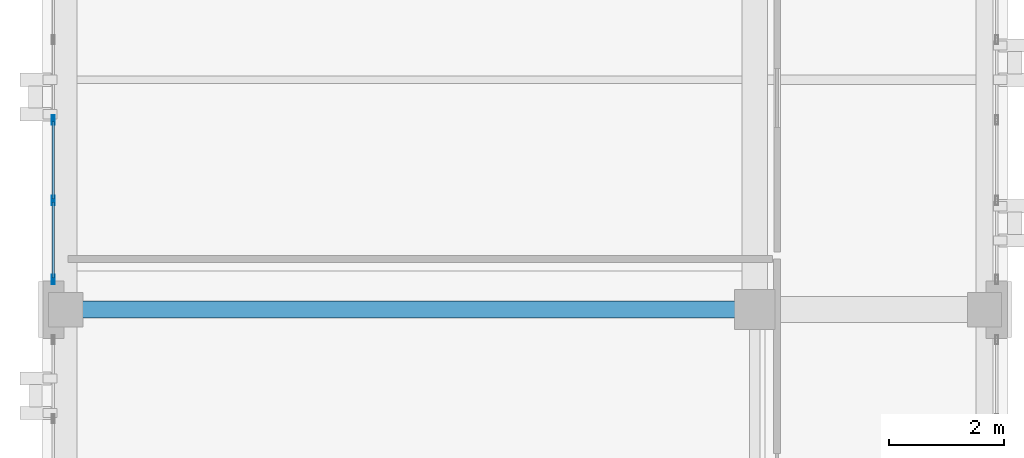
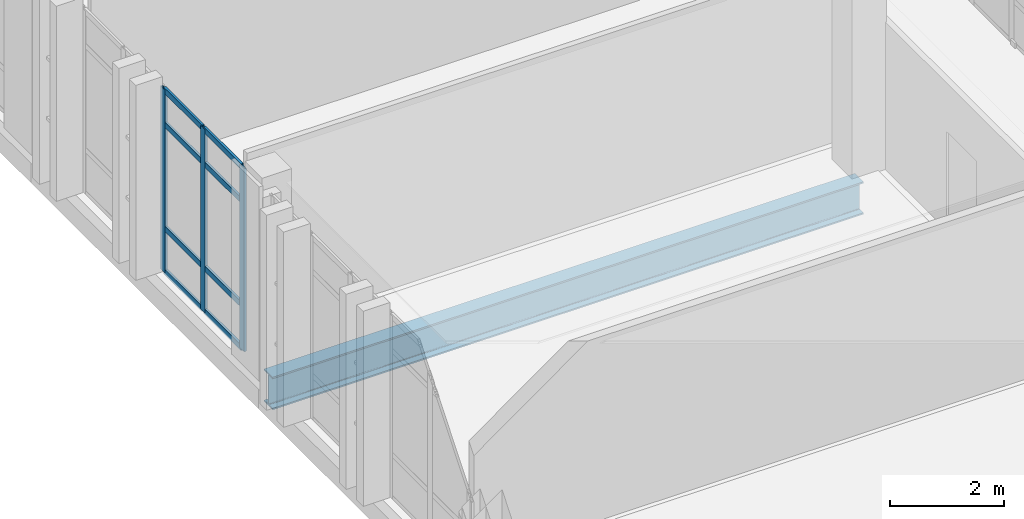
# One storey, part 12 of 77: 11 members, 1 beam, 1 element without a shape of its own.
"""IFC4 building model written with IfcOpenShell, lengths in metres."""

from ifc_helpers import new_model, si_unit, direction, frame, origin, origin_2d, place, context, subcontext, project, spatial, hollow_rectangle, i_section, extrude, material, layer, layer_set, material_profile, profile_set, type_object, element, aggregate, save


model = new_model("IFC4")

# Units and contexts
model_context = context("Model", 3, precision=1e-05, world=origin(), true_north=direction((0.0, 1.0)))
body_context = subcontext(model_context, "Body", "Model", "MODEL_VIEW")
ifc_project = project(units=[si_unit("LENGTHUNIT", "METRE"), si_unit("AREAUNIT", "SQUARE_METRE"), si_unit("VOLUMEUNIT", "CUBIC_METRE"), si_unit("PLANEANGLEUNIT", "RADIAN"), si_unit("MASSUNIT", "GRAM", prefix="KILO")], contexts=[model_context])

# Site, building, storey
site_placement = place(None, origin())
site = spatial("IfcSite", under=ifc_project, at=site_placement, CompositionType="ELEMENT")
building_placement = place(site_placement, origin())
building = spatial("IfcBuilding", under=site, at=building_placement, Name="Qalavern Law Courts", CompositionType="ELEMENT")
storey_placement = place(building_placement, frame((0.0, 0.0, 27.0)))
storey = spatial("IfcBuildingStorey", under=building, at=storey_placement, Name="L06", CompositionType="ELEMENT", Elevation=27.0)

# Curtain wall, members
ifc_material_1 = material(Name="Anodised aluminium and insulated glazing", Category="aluminium")
ifc_layer = layer(ifc_material_1, 0.159912109375)
ifc_layer_set = layer_set([ifc_layer], Name="Anodised aluminium and insulated glazing")
curtain_wall_type = type_object("IfcCurtainWallType", Name="ENV-CW-CHAMB", PredefinedType="USERDEFINED", material=ifc_layer_set)
curtain_wall_placement = place(storey_placement, origin())
curtain_wall = element("IfcCurtainWall", 1, at=curtain_wall_placement, inside=storey, type_object=curtain_wall_type, Name="V3 unitised curtain wall L06 west 2", ObjectType="UNITISED CURTAIN WALL", PredefinedType="USERDEFINED")
ifc_material_2 = material(Name="Anodised aluminium", Category="aluminium")
ifc_material_profile_1 = material_profile(ifc_material_2, hollow_rectangle(XDim=0.048095703125, YDim=0.159912109375, WallThickness=0.00390625, at=origin_2d()), Name="ALU MULLION 48x160")
ifc_profile_set_1 = profile_set([ifc_material_profile_1], Name="Anodised aluminium")
member_type_1 = type_object("IfcMemberType", Name="ENV-CWM-48x160", PredefinedType="MULLION", material=ifc_profile_set_1)
member_1_placement = place(storey_placement, frame((2.18505859375, 68.699951171875, 0.0), z_axis=(0.0, 0.0, 1.0), x_axis=(1.0, 0.0, 0.0)))
member_1 = element("IfcMember", 2, at=member_1_placement, type_object=member_type_1, Name="CW-04 mullion 4", PredefinedType="MULLION", context=body_context, shape_type="SweptSolid", body=[
    extrude(hollow_rectangle(XDim=0.048095703125, YDim=0.159912109375, WallThickness=0.00390625, at=origin_2d()), origin(), (0.0, 0.0, 1.0), 3.93505859375),
])
member_2_placement = place(storey_placement, frame((2.18505859375, 67.300048828125, 0.0), z_axis=(0.0, 0.0, 1.0), x_axis=(1.0, 0.0, 0.0)))
member_2 = element("IfcMember", 3, at=member_2_placement, type_object=member_type_1, Name="CW-04 mullion 5", PredefinedType="MULLION", context=body_context, shape_type="SweptSolid", body=[
    extrude(hollow_rectangle(XDim=0.048095703125, YDim=0.159912109375, WallThickness=0.00390625, at=origin_2d()), origin(), (0.0, 0.0, 1.0), 3.93505859375),
])
member_3_placement = place(storey_placement, frame((2.18505859375, 65.924072265625, 0.0), z_axis=(0.0, 0.0, 1.0), x_axis=(1.0, 0.0, 0.0)))
member_3 = element("IfcMember", 4, at=member_3_placement, type_object=member_type_1, Name="CW-04 mullion 6", PredefinedType="MULLION", context=body_context, shape_type="SweptSolid", body=[
    extrude(hollow_rectangle(XDim=0.048095703125, YDim=0.159912109375, WallThickness=0.00390625, at=origin_2d()), origin(), (0.0, 0.0, 1.0), 3.93505859375),
])
ifc_material_profile_2 = material_profile(ifc_material_2, hollow_rectangle(XDim=0.048095703125, YDim=0.1201171875, WallThickness=0.00390625, at=origin_2d()), Name="ALU TRANSOM 48x120")
ifc_profile_set_2 = profile_set([ifc_material_profile_2], Name="Anodised aluminium")
member_type_2 = type_object("IfcMemberType", Name="ENV-CWT-48x120", PredefinedType="USERDEFINED", material=ifc_profile_set_2)
member_4_placement = place(storey_placement, frame((2.18505859375, 68.676025390625, 0.02392578125), z_axis=(0.0, -1.0, 0.0), x_axis=(1.0, 0.0, 0.0)))
member_4 = element("IfcMember", 5, at=member_4_placement, type_object=member_type_2, Name="CW-04 transom 4.1", ObjectType="TRANSOM", PredefinedType="USERDEFINED", context=body_context, shape_type="SweptSolid", body=[
    extrude(hollow_rectangle(XDim=0.048095703125, YDim=0.1201171875, WallThickness=0.00390625, at=origin_2d()), origin(), (0.0, 0.0, 1.0), 1.35205078125),
])
member_5_placement = place(storey_placement, frame((2.18505859375, 68.676025390625, 0.949951171875), z_axis=(0.0, -1.0, 0.0), x_axis=(1.0, 0.0, 0.0)))
member_5 = element("IfcMember", 6, at=member_5_placement, type_object=member_type_2, Name="CW-04 transom 4.2", ObjectType="TRANSOM", PredefinedType="USERDEFINED", context=body_context, shape_type="SweptSolid", body=[
    extrude(hollow_rectangle(XDim=0.048095703125, YDim=0.1201171875, WallThickness=0.00390625, at=origin_2d()), origin(), (0.0, 0.0, 1.0), 1.35205078125),
])
member_6_placement = place(storey_placement, frame((2.18505859375, 68.676025390625, 3.18505859375), z_axis=(0.0, -1.0, 0.0), x_axis=(1.0, 0.0, 0.0)))
member_6 = element("IfcMember", 7, at=member_6_placement, type_object=member_type_2, Name="CW-04 transom 4.3", ObjectType="TRANSOM", PredefinedType="USERDEFINED", context=body_context, shape_type="SweptSolid", body=[
    extrude(hollow_rectangle(XDim=0.048095703125, YDim=0.1201171875, WallThickness=0.00390625, at=origin_2d()), origin(), (0.0, 0.0, 1.0), 1.35205078125),
])
member_7_placement = place(storey_placement, frame((2.18505859375, 68.676025390625, 3.910888671875), z_axis=(0.0, -1.0, 0.0), x_axis=(1.0, 0.0, 0.0)))
member_7 = element("IfcMember", 8, at=member_7_placement, type_object=member_type_2, Name="CW-04 transom 4.4", ObjectType="TRANSOM", PredefinedType="USERDEFINED", context=body_context, shape_type="SweptSolid", body=[
    extrude(hollow_rectangle(XDim=0.048095703125, YDim=0.1201171875, WallThickness=0.00390625, at=origin_2d()), origin(), (0.0, 0.0, 1.0), 1.35205078125),
])
member_8_placement = place(storey_placement, frame((2.18505859375, 67.27587890625, 0.02392578125), z_axis=(0.0, -1.0, 0.0), x_axis=(1.0, 0.0, 0.0)))
member_8 = element("IfcMember", 9, at=member_8_placement, type_object=member_type_2, Name="CW-04 transom 5.1", ObjectType="TRANSOM", PredefinedType="USERDEFINED", context=body_context, shape_type="SweptSolid", body=[
    extrude(hollow_rectangle(XDim=0.048095703125, YDim=0.1201171875, WallThickness=0.00390625, at=origin_2d()), origin(), (0.0, 0.0, 1.0), 1.327880859375),
])
member_9_placement = place(storey_placement, frame((2.18505859375, 67.27587890625, 0.949951171875), z_axis=(0.0, -1.0, 0.0), x_axis=(1.0, 0.0, 0.0)))
member_9 = element("IfcMember", 10, at=member_9_placement, type_object=member_type_2, Name="CW-04 transom 5.2", ObjectType="TRANSOM", PredefinedType="USERDEFINED", context=body_context, shape_type="SweptSolid", body=[
    extrude(hollow_rectangle(XDim=0.048095703125, YDim=0.1201171875, WallThickness=0.00390625, at=origin_2d()), origin(), (0.0, 0.0, 1.0), 1.327880859375),
])
member_10_placement = place(storey_placement, frame((2.18505859375, 67.27587890625, 3.18505859375), z_axis=(0.0, -1.0, 0.0), x_axis=(1.0, 0.0, 0.0)))
member_10 = element("IfcMember", 11, at=member_10_placement, type_object=member_type_2, Name="CW-04 transom 5.3", ObjectType="TRANSOM", PredefinedType="USERDEFINED", context=body_context, shape_type="SweptSolid", body=[
    extrude(hollow_rectangle(XDim=0.048095703125, YDim=0.1201171875, WallThickness=0.00390625, at=origin_2d()), origin(), (0.0, 0.0, 1.0), 1.327880859375),
])
member_11_placement = place(storey_placement, frame((2.18505859375, 67.27587890625, 3.910888671875), z_axis=(0.0, -1.0, 0.0), x_axis=(1.0, 0.0, 0.0)))
member_11 = element("IfcMember", 12, at=member_11_placement, type_object=member_type_2, Name="CW-04 transom 5.4", ObjectType="TRANSOM", PredefinedType="USERDEFINED", context=body_context, shape_type="SweptSolid", body=[
    extrude(hollow_rectangle(XDim=0.048095703125, YDim=0.1201171875, WallThickness=0.00390625, at=origin_2d()), origin(), (0.0, 0.0, 1.0), 1.327880859375),
])
aggregate(curtain_wall, [member_1, member_2, member_3, member_4, member_5, member_6, member_7, member_8, member_9, member_10, member_11])

# Beam
ifc_material_3 = material(Name="Steel S355", Category="steel")
ifc_material_profile_3 = material_profile(ifc_material_3, i_section(OverallWidth=0.300048828125, OverallDepth=0.699951171875, WebThickness=0.01708984375, FlangeThickness=0.031982421875, FilletRadius=0.027099609375, at=origin_2d()), Name="HEB 700")
ifc_profile_set_3 = profile_set([ifc_material_profile_3], Name="Steel S355")
beam_type = type_object("IfcBeamType", Name="STR-BM-HEB700", PredefinedType="BEAM", material=ifc_profile_set_3)
beam_placement = place(storey_placement, frame((2.39990234375, 65.39990234375, -0.6201171875), z_axis=(1.0, 0.0, 0.0), x_axis=(0.0, 1.0, 0.0)))
element("IfcBeam", 13, at=beam_placement, inside=storey, type_object=beam_type, Name="V3 X-beam 4-1 L06", PredefinedType="BEAM", context=body_context, shape_type="SweptSolid", body=[
    extrude(i_section(OverallWidth=0.300048828125, OverallDepth=0.699951171875, WebThickness=0.01708984375, FlangeThickness=0.031982421875, FilletRadius=0.027099609375, at=origin_2d()), origin(), (0.0, 0.0, 1.0), 12.0),
])

save(model, "model.ifc")
